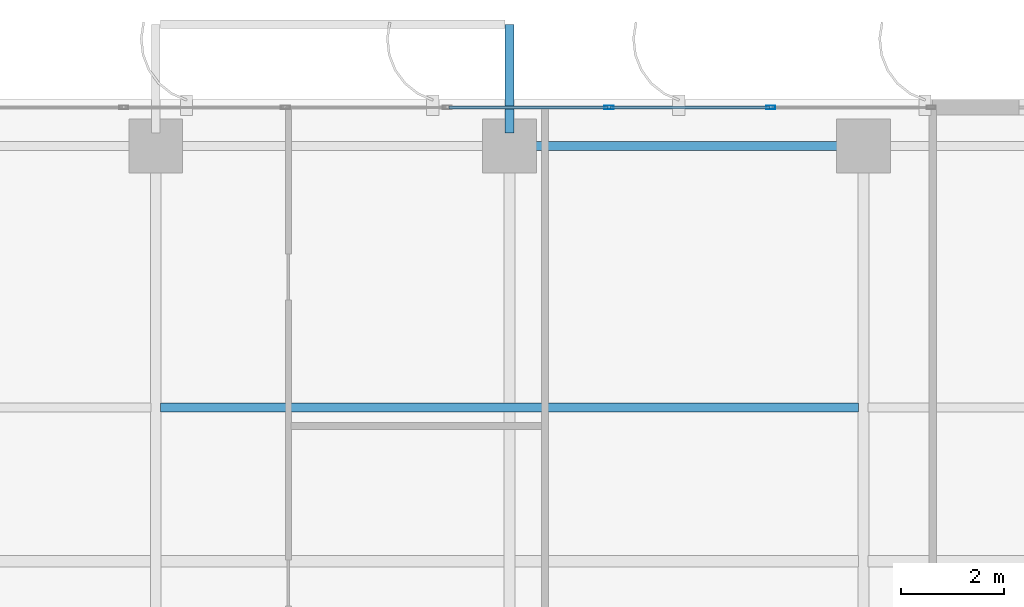
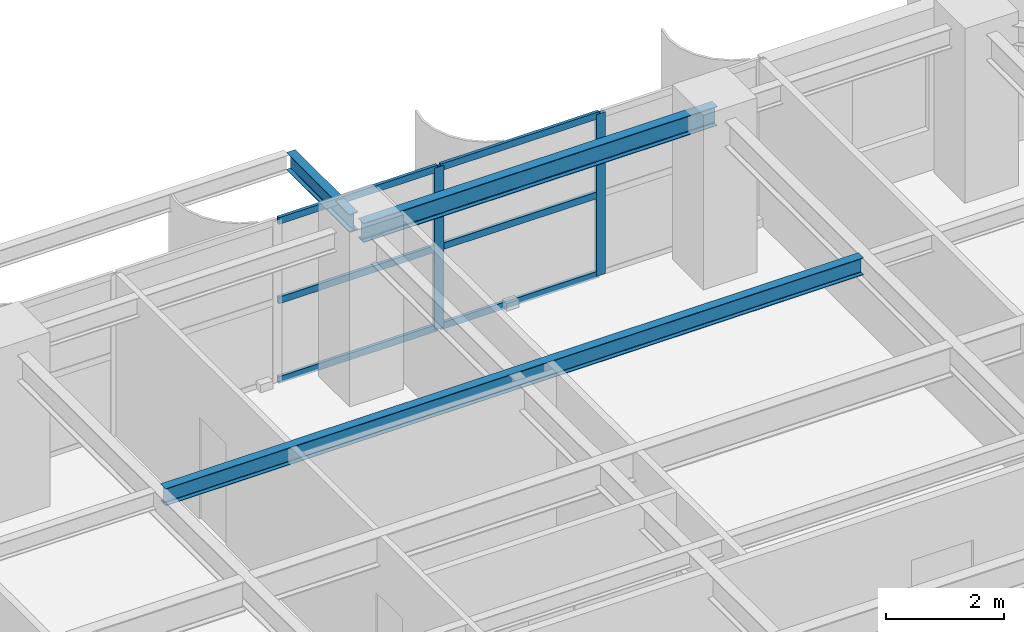
# One storey, part 13 of 25: 8 members, 3 beams, 1 element without a shape of its own.
"""IFC4 building model written with IfcOpenShell, lengths in metres."""

from ifc_helpers import new_model, si_unit, direction, frame, origin, origin_2d, place, context, subcontext, project, spatial, hollow_rectangle, i_section, extrude, source, transform, mapped, material, layer, layer_set, material_profile, profile_set, type_object, element, aggregate, save


model = new_model("IFC4")

# Units and contexts
model_context = context("Model", 3, precision=1e-05, world=origin(), true_north=direction((0.0, 1.0)))
body_context = subcontext(model_context, "Body", "Model", "MODEL_VIEW")
ifc_project = project(units=[si_unit("LENGTHUNIT", "METRE"), si_unit("AREAUNIT", "SQUARE_METRE"), si_unit("VOLUMEUNIT", "CUBIC_METRE"), si_unit("PLANEANGLEUNIT", "RADIAN"), si_unit("MASSUNIT", "GRAM", prefix="KILO")], contexts=[model_context])

# Site, building, storey
site_placement = place(None, origin())
site = spatial("IfcSite", under=ifc_project, at=site_placement, CompositionType="ELEMENT")
building_placement = place(site_placement, origin())
building = spatial("IfcBuilding", under=site, at=building_placement, Name="Khoralis Quay Care Tower", CompositionType="ELEMENT")
storey_placement = place(building_placement, frame((0.0, 0.0, 134.10009765625)))
storey = spatial("IfcBuildingStorey", under=building, at=storey_placement, Name="L35", CompositionType="ELEMENT", Elevation=134.10009765625)

# Beams
ifc_material_1 = material(Name="Steel S355", Category="steel")
ifc_material_profile_1 = material_profile(ifc_material_1, i_section(OverallWidth=0.179931640625, OverallDepth=0.39990234375, WebThickness=0.008544921875, FlangeThickness=0.013427734375, FilletRadius=0.02099609375, at=origin_2d()), Name="Steel S355")
ifc_profile_set_1 = profile_set([ifc_material_profile_1], Name="Steel S355")
beam_type_1 = type_object("IfcBeamType", Name="BM-IPE400", PredefinedType="SPANDREL", material=ifc_profile_set_1)
shared_shape_1 = source(origin(), body_context, "Body", "SweptSolid", [
    extrude(i_section(OverallWidth=0.179931640625, OverallDepth=0.39990234375, WebThickness=0.008544921875, FlangeThickness=0.013427734375, FilletRadius=0.02099609375, at=origin_2d()), origin(), (0.0, 0.0, 1.0), 6.89990234375),
])
beam_1_placement = place(storey_placement, frame((24.0, 44.10009765625, 3.139892578125), z_axis=(1.0, 0.0, 0.0), x_axis=(0.0, 1.0, 0.0)))
element("IfcBeam", 1, at=beam_1_placement, inside=storey, type_object=beam_type_1, Name="BM-TSP-L35-09", PredefinedType="SPANDREL", context=body_context, shape_type="MappedRepresentation", body=[
    mapped(shared_shape_1, transform((0.0, 0.0, 0.0), scale=1.0)),
])
ifc_material_profile_2 = material_profile(ifc_material_1, i_section(OverallWidth=0.1708984375, OverallDepth=0.35498046875, WebThickness=0.007080078125, FlangeThickness=0.01171875, FilletRadius=0.012939453125, at=origin_2d()), Name="Steel S355")
ifc_profile_set_2 = profile_set([ifc_material_profile_2], Name="Steel S355")
beam_type_2 = type_object("IfcBeamType", Name="BM-W360X51", PredefinedType="JOIST", material=ifc_profile_set_2)
shared_shape_2 = source(origin(), body_context, "Body", "SweptSolid", [
    extrude(i_section(OverallWidth=0.1708984375, OverallDepth=0.35498046875, WebThickness=0.007080078125, FlangeThickness=0.01171875, FilletRadius=0.012939453125, at=origin_2d()), origin(), (0.0, 0.0, 1.0), 13.61181640625),
])
beam_2_placement = place(storey_placement, frame((17.194091796875, 39.0, 3.162353515625), z_axis=(1.0, 0.0, 0.0), x_axis=(0.0, 1.0, 0.0)))
element("IfcBeam", 2, at=beam_2_placement, inside=storey, type_object=beam_type_2, Name="BM-TJS-L35-33", PredefinedType="JOIST", context=body_context, shape_type="MappedRepresentation", body=[
    mapped(shared_shape_2, transform((0.0, 0.0, 0.0), scale=1.0)),
])
ifc_material_profile_3 = material_profile(ifc_material_1, i_section(OverallWidth=0.169921875, OverallDepth=0.360107421875, WebThickness=0.008056640625, FlangeThickness=0.0126953125, FilletRadius=0.01806640625, at=origin_2d()), Name="Steel S355")
ifc_profile_set_3 = profile_set([ifc_material_profile_3], Name="Steel S355")
beam_type_3 = type_object("IfcBeamType", Name="BM-IPE360", PredefinedType="SPANDREL", material=ifc_profile_set_3)
shared_shape_3 = source(origin(), body_context, "Body", "SweptSolid", [
    extrude(i_section(OverallWidth=0.169921875, OverallDepth=0.360107421875, WebThickness=0.008056640625, FlangeThickness=0.0126953125, FilletRadius=0.01806640625, at=origin_2d()), origin(), (0.0, 0.0, 1.0), 2.119873046875),
])
beam_3_placement = place(storey_placement, frame((24.0, 44.35009765625, 3.163818359375), z_axis=(0.0, 1.0, 0.0), x_axis=(-1.0, 0.0, 0.0)))
element("IfcBeam", 3, at=beam_3_placement, inside=storey, type_object=beam_type_3, Name="L36 Balcony Cantilever Outrigger Beam 2", PredefinedType="SPANDREL", context=body_context, shape_type="MappedRepresentation", body=[
    mapped(shared_shape_3, transform((0.0, 0.0, 0.0), scale=1.0)),
])

# Curtain wall, members
ifc_material_2 = material(Name="Pale anodised aluminium", Category="aluminium")
ifc_layer = layer(ifc_material_2, 0.169921875)
ifc_layer_set = layer_set([ifc_layer], Name="Pale anodised aluminium")
curtain_wall_type = type_object("IfcCurtainWallType", Name="CW-SYS-Z2", PredefinedType="NOTDEFINED", material=ifc_layer_set)
curtain_wall_placement = place(storey_placement, origin())
curtain_wall = element("IfcCurtainWall", 4, at=curtain_wall_placement, inside=storey, type_object=curtain_wall_type, Name="L35 Unitised Curtain Wall CW-L35-P1-E10", PredefinedType="NOTDEFINED")
ifc_material_profile_4 = material_profile(ifc_material_2, hollow_rectangle(XDim=0.06494140625, YDim=0.179931640625, WallThickness=0.00390625, at=origin_2d()), Name="Pale anodised aluminium")
ifc_profile_set_4 = profile_set([ifc_material_profile_4], Name="Pale anodised aluminium")
member_type_1 = type_object("IfcMemberType", Name="CW-MUL-180", PredefinedType="MULLION", material=ifc_profile_set_4)
shared_shape_4 = source(origin(), body_context, "Body", "SweptSolid", [
    extrude(hollow_rectangle(XDim=0.06494140625, YDim=0.179931640625, WallThickness=0.00390625, at=origin_2d()), origin(), (0.0, 0.0, 1.0), 3.33984375),
])
member_1_placement = place(storey_placement, frame((29.094970703125, 44.85009765625, 0.0), z_axis=(0.0, 0.0, 1.0), x_axis=(0.0, -1.0, 0.0)))
member_1 = element("IfcMember", 5, at=member_1_placement, type_object=member_type_1, Name="CW2 mullion 2", PredefinedType="MULLION", context=body_context, shape_type="MappedRepresentation", body=[
    mapped(shared_shape_4, transform((0.0, 0.0, 0.0), scale=1.0)),
])
member_2_placement = place(storey_placement, frame((25.93994140625, 44.85009765625, 0.0), z_axis=(0.0, 0.0, 1.0), x_axis=(0.0, -1.0, 0.0)))
member_2 = element("IfcMember", 6, at=member_2_placement, type_object=member_type_1, Name="CW2 mullion 3", PredefinedType="MULLION", context=body_context, shape_type="MappedRepresentation", body=[
    mapped(shared_shape_4, transform((0.0, 0.0, 0.0), scale=1.0)),
])
ifc_material_profile_5 = material_profile(ifc_material_2, hollow_rectangle(XDim=0.06005859375, YDim=0.139892578125, WallThickness=0.00390625, at=origin_2d()), Name="Pale anodised aluminium")
ifc_profile_set_5 = profile_set([ifc_material_profile_5], Name="Pale anodised aluminium")
member_type_2 = type_object("IfcMemberType", Name="CW-TRN-140", PredefinedType="USERDEFINED", material=ifc_profile_set_5)
shared_shape_5 = source(origin(), body_context, "Body", "SweptSolid", [
    extrude(hollow_rectangle(XDim=0.06005859375, YDim=0.139892578125, WallThickness=0.00390625, at=origin_2d()), origin(), (0.0, 0.0, 1.0), 3.094970703125),
])
member_3_placement = place(storey_placement, frame((29.06494140625, 44.85009765625, 0.02978515625), z_axis=(-1.0, 0.0, 0.0), x_axis=(0.0, -1.0, 0.0)))
member_3 = element("IfcMember", 7, at=member_3_placement, type_object=member_type_2, Name="CW2 transom 2.1", ObjectType="TRANSOM", PredefinedType="USERDEFINED", context=body_context, shape_type="MappedRepresentation", body=[
    mapped(shared_shape_5, transform((0.0, 0.0, 0.0), scale=1.0)),
])
member_4_placement = place(storey_placement, frame((29.06494140625, 44.85009765625, 1.669921875), z_axis=(-1.0, 0.0, 0.0), x_axis=(0.0, -1.0, 0.0)))
member_4 = element("IfcMember", 8, at=member_4_placement, type_object=member_type_2, Name="CW2 transom 2.2", ObjectType="TRANSOM", PredefinedType="USERDEFINED", context=body_context, shape_type="MappedRepresentation", body=[
    mapped(shared_shape_5, transform((0.0, 0.0, 0.0), scale=1.0)),
])
member_5_placement = place(storey_placement, frame((29.06494140625, 44.85009765625, 3.309814453125), z_axis=(-1.0, 0.0, 0.0), x_axis=(0.0, -1.0, 0.0)))
member_5 = element("IfcMember", 9, at=member_5_placement, type_object=member_type_2, Name="CW2 transom 2.3", ObjectType="TRANSOM", PredefinedType="USERDEFINED", context=body_context, shape_type="MappedRepresentation", body=[
    mapped(shared_shape_5, transform((0.0, 0.0, 0.0), scale=1.0)),
])
member_6_placement = place(storey_placement, frame((25.909912109375, 44.85009765625, 0.02978515625), z_axis=(-1.0, 0.0, 0.0), x_axis=(0.0, -1.0, 0.0)))
member_6 = element("IfcMember", 10, at=member_6_placement, type_object=member_type_2, Name="CW2 transom 3.1", ObjectType="TRANSOM", PredefinedType="USERDEFINED", context=body_context, shape_type="MappedRepresentation", body=[
    mapped(shared_shape_5, transform((0.0, 0.0, 0.0), scale=1.0)),
])
member_7_placement = place(storey_placement, frame((25.909912109375, 44.85009765625, 1.669921875), z_axis=(-1.0, 0.0, 0.0), x_axis=(0.0, -1.0, 0.0)))
member_7 = element("IfcMember", 11, at=member_7_placement, type_object=member_type_2, Name="CW2 transom 3.2", ObjectType="TRANSOM", PredefinedType="USERDEFINED", context=body_context, shape_type="MappedRepresentation", body=[
    mapped(shared_shape_5, transform((0.0, 0.0, 0.0), scale=1.0)),
])
member_8_placement = place(storey_placement, frame((25.909912109375, 44.85009765625, 3.309814453125), z_axis=(-1.0, 0.0, 0.0), x_axis=(0.0, -1.0, 0.0)))
member_8 = element("IfcMember", 12, at=member_8_placement, type_object=member_type_2, Name="CW2 transom 3.3", ObjectType="TRANSOM", PredefinedType="USERDEFINED", context=body_context, shape_type="MappedRepresentation", body=[
    mapped(shared_shape_5, transform((0.0, 0.0, 0.0), scale=1.0)),
])
aggregate(curtain_wall, [member_1, member_2, member_3, member_4, member_5, member_6, member_7, member_8])

save(model, "model.ifc")
